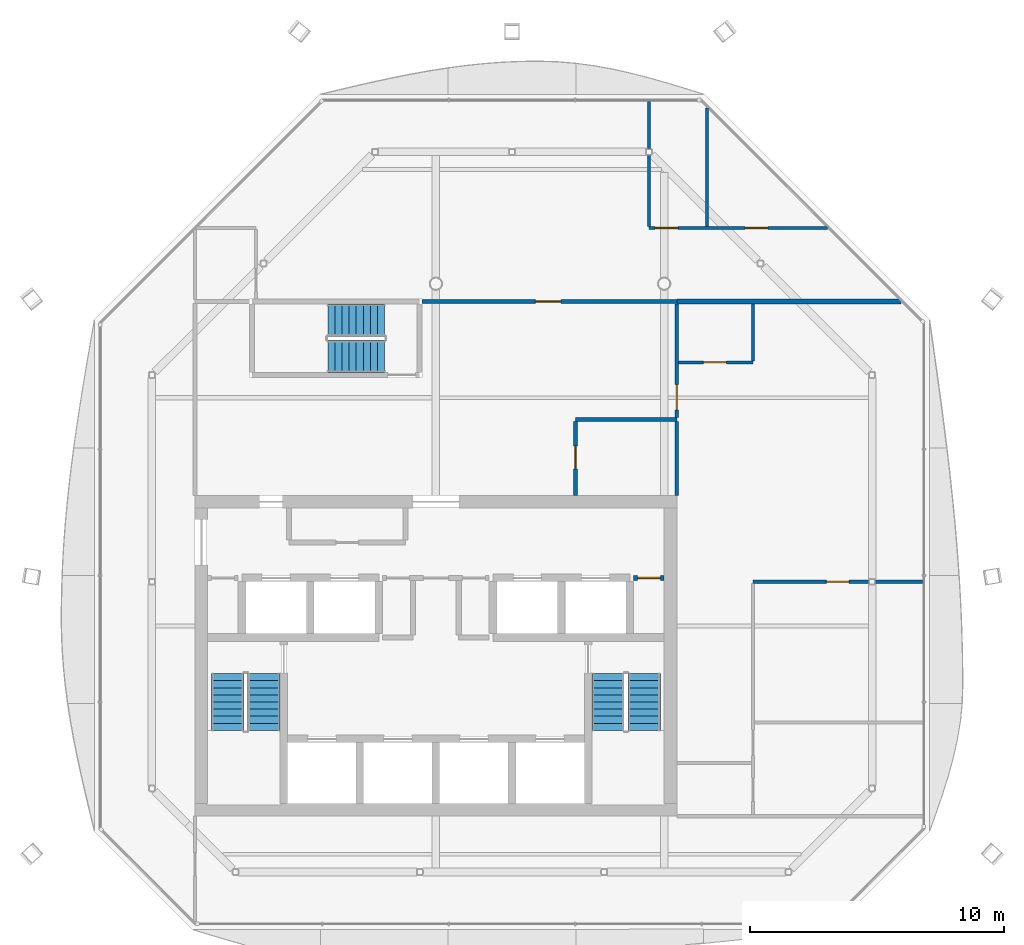
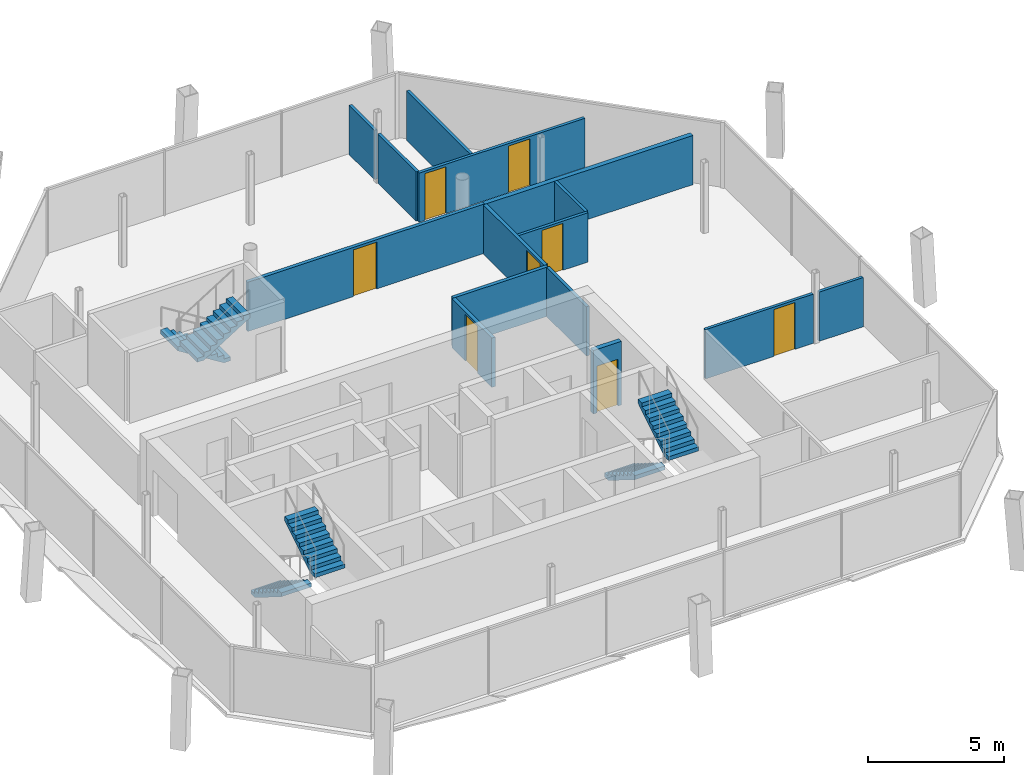
# One storey, part 11 of 14: 15 walls, 8 doors, 6 stair flights, 8 openings, 3 elements without a shape of their own.
"""IFC4 building model written with IfcOpenShell, lengths in metres."""

from ifc_helpers import new_model, si_unit, direction, frame, frame_2d, origin, place, context, subcontext, project, spatial, polyline, rectangle, outline, extrude, material, layer, layer_set, type_object, element, fill, aggregate, save


model = new_model("IFC4")

# Units and contexts
model_context = context("Model", 3, precision=1e-05, world=origin(), true_north=direction((0.0, 1.0)))
body_context = subcontext(model_context, "Body", "Model", "MODEL_VIEW")
ifc_project = project(units=[si_unit("LENGTHUNIT", "METRE"), si_unit("AREAUNIT", "SQUARE_METRE"), si_unit("VOLUMEUNIT", "CUBIC_METRE"), si_unit("PLANEANGLEUNIT", "RADIAN"), si_unit("MASSUNIT", "GRAM", prefix="KILO")], contexts=[model_context])

# Site, building, storey
site_placement = place(None, origin())
site = spatial("IfcSite", under=ifc_project, at=site_placement, CompositionType="ELEMENT")
building_placement = place(site_placement, origin())
building = spatial("IfcBuilding", under=site, at=building_placement, Name="Tskaro Facet Tower", CompositionType="ELEMENT")
storey_placement = place(building_placement, frame((0.0, 0.0, 275.25)))
storey = spatial("IfcBuildingStorey", under=building, at=storey_placement, Name="L73", CompositionType="ELEMENT", Elevation=275.25)

# Wall, opening, door
ifc_material_1 = material(Name="Concrete C20/25", Category="concrete")
ifc_layer_1 = layer(ifc_material_1, 0.199951171875, Name="Concrete C20/25")
ifc_layer_set_1 = layer_set([ifc_layer_1], Name="Concrete C20/25")
wall_type_1 = type_object("IfcWallType", Name="CORE-WALL", PredefinedType="SOLIDWALL", material=ifc_layer_set_1)
wall_1_placement = place(storey_placement, frame((9.0, -2.60009765625, 0.0), z_axis=(0.0, 0.0, 1.0), x_axis=(-1.0, 0.0, 0.0)))
wall_1 = element("IfcWall", 1, at=wall_1_placement, inside=storey, type_object=wall_type_1, Name="Core room wall W015", PredefinedType="SOLIDWALL", context=body_context, shape_type="SweptSolid", body=[
    extrude(rectangle(XDim=1.199951171875, YDim=0.199951171875, at=frame_2d((0.60009765625, 0.0))), origin(), (0.0, 0.0, 1.0), 2.85009765625),
])
opening_1_placement = place(wall_1_placement, frame((0.14990234375, 0.0, 0.0)))
opening_1 = element("IfcOpeningElement", 2, at=opening_1_placement, cuts=wall_1, Name="Opening T21-D08", PredefinedType="OPENING", context=body_context, shape_type="SweptSolid", body=[
    extrude(rectangle(XDim=0.89990234375, YDim=2.10009765625, at=frame_2d((0.449951171875, 1.050048828125))), frame((0.0, 0.10986328125, 0.0), z_axis=(0.0, -1.0, 0.0), x_axis=(1.0, 0.0, 0.0)), (0.0, 0.0, 1.0), 0.219970703125),
])
ifc_material_2 = material(Name="Timber", Category="wood")
door_type_1 = type_object("IfcDoorType", Name="D-ROOM", OperationType="NOTDEFINED", PredefinedType="DOOR", material=ifc_material_2)
door_1_placement = place(opening_1_placement, origin())
door_1 = element("IfcDoor", 3, at=door_1_placement, inside=storey, type_object=door_type_1, Name="Door T21-D08", OperationType="SINGLE_SWING_RIGHT", OverallHeight=2.10009765625, OverallWidth=0.89990234375, PredefinedType="DOOR", context=body_context, shape_type="SweptSolid", body=[
    extrude(rectangle(XDim=0.89990234375, YDim=2.10009765625, at=frame_2d((0.449951171875, 1.050048828125))), frame((0.0, 0.02490234375, 0.0), z_axis=(0.0, -1.0, 0.0), x_axis=(1.0, 0.0, 0.0)), (0.0, 0.0, 1.0), 0.050048828125),
])
fill(opening_1, door_1)

ifc_material_3 = material(Name="Gypsum board on steel studs", Category="steel")
ifc_layer_2 = layer(ifc_material_3, 0.125, Name="Gypsum board on steel studs")
ifc_layer_set_2 = layer_set([ifc_layer_2], Name="Gypsum board on steel studs")
wall_type_2 = type_object("IfcWallType", Name="PART", PredefinedType="PARTITIONING", material=ifc_layer_set_2)
wall_2_placement = place(storey_placement, frame((17.074951171875, -2.75, 0.0), z_axis=(0.0, 0.0, 1.0), x_axis=(-1.0, 0.0, 0.0)))
wall_2 = element("IfcWall", 4, at=wall_2_placement, inside=storey, type_object=wall_type_2, Name="Partition W009", PredefinedType="PARTITIONING", context=body_context, shape_type="SweptSolid", body=[
    extrude(rectangle(XDim=4.574951171875, YDim=0.125, at=frame_2d((2.28759765625, 0.0))), origin(), (0.0, 0.0, 1.0), 2.2099609375),
])
opening_2_placement = place(wall_2_placement, frame((0.777587890625, 0.0, 0.0)))
opening_2 = element("IfcOpeningElement", 5, at=opening_2_placement, cuts=wall_2, Name="Opening T21-D04", PredefinedType="OPENING", context=body_context, shape_type="SweptSolid", body=[
    extrude(rectangle(XDim=0.89990234375, YDim=2.10009765625, at=frame_2d((0.449951171875, 1.050048828125))), frame((0.0, 0.072509765625, 0.0), z_axis=(0.0, -1.0, 0.0), x_axis=(1.0, 0.0, 0.0)), (0.0, 0.0, 1.0), 0.14501953125),
])
door_2_placement = place(opening_2_placement, origin())
door_2 = element("IfcDoor", 6, at=door_2_placement, inside=storey, type_object=door_type_1, Name="Door T21-D04", OperationType="SINGLE_SWING_RIGHT", OverallHeight=2.10009765625, OverallWidth=0.89990234375, PredefinedType="DOOR", context=body_context, shape_type="SweptSolid", body=[
    extrude(rectangle(XDim=0.89990234375, YDim=2.10009765625, at=frame_2d((0.449951171875, 1.050048828125))), frame((0.0, 0.02490234375, 0.0), z_axis=(0.0, -1.0, 0.0), x_axis=(1.0, 0.0, 0.0)), (0.0, 0.0, 1.0), 0.050048828125),
])
fill(opening_2, door_2)

# Wall
wall_3_placement = place(storey_placement, frame((17.324951171875, -2.75, 0.0), z_axis=(0.0, 0.0, 1.0), x_axis=(1.0, 0.0, 0.0)))
element("IfcWall", 7, at=wall_3_placement, inside=storey, type_object=wall_type_2, Name="Partition W010", PredefinedType="PARTITIONING", context=body_context, shape_type="SweptSolid", body=[
    extrude(rectangle(XDim=1.8701171875, YDim=0.125, at=frame_2d((0.93505859375, 0.0))), origin(), (0.0, 0.0, 1.0), 2.2099609375),
])

# Wall, opening, door
wall_4_placement = place(storey_placement, frame((9.574951171875, 5.89990234375, 0.0), z_axis=(0.0, 0.0, 1.0), x_axis=(1.0, 0.0, 0.0)))
wall_4 = element("IfcWall", 8, at=wall_4_placement, inside=storey, type_object=wall_type_2, Name="Partition W019", PredefinedType="PARTITIONING", context=body_context, shape_type="SweptSolid", body=[
    extrude(rectangle(XDim=2.925048828125, YDim=0.125, at=frame_2d((1.46240234375, 0.0))), origin(), (0.0, 0.0, 1.0), 2.2099609375),
])
opening_3_placement = place(wall_4_placement, frame((0.97509765625, 0.0, 0.0)))
opening_3 = element("IfcOpeningElement", 9, at=opening_3_placement, cuts=wall_4, Name="Opening T21-D15", PredefinedType="OPENING", context=body_context, shape_type="SweptSolid", body=[
    extrude(rectangle(XDim=0.89990234375, YDim=2.10009765625, at=frame_2d((0.449951171875, 1.050048828125))), frame((0.0, 0.072509765625, 0.0), z_axis=(0.0, -1.0, 0.0), x_axis=(1.0, 0.0, 0.0)), (0.0, 0.0, 1.0), 0.14501953125),
])
door_3_placement = place(opening_3_placement, origin())
door_3 = element("IfcDoor", 10, at=door_3_placement, inside=storey, type_object=door_type_1, Name="Door T21-D15", OperationType="SINGLE_SWING_LEFT", OverallHeight=2.10009765625, OverallWidth=0.89990234375, PredefinedType="DOOR", context=body_context, shape_type="SweptSolid", body=[
    extrude(rectangle(XDim=0.89990234375, YDim=2.10009765625, at=frame_2d((0.449951171875, 1.050048828125))), frame((0.0, 0.02490234375, 0.0), z_axis=(0.0, -1.0, 0.0), x_axis=(1.0, 0.0, 0.0)), (0.0, 0.0, 1.0), 0.050048828125),
])
fill(opening_3, door_3)

# Wall, openings, doors
wall_5_placement = place(storey_placement, frame((8.405029296875, 11.199951171875, 0.0), z_axis=(0.0, 0.0, 1.0), x_axis=(1.0, 0.0, 0.0)))
wall_5 = element("IfcWall", 11, at=wall_5_placement, inside=storey, type_object=wall_type_2, Name="Partition W025", PredefinedType="PARTITIONING", context=body_context, shape_type="SweptSolid", body=[
    extrude(rectangle(XDim=7.028076171875, YDim=0.125, at=frame_2d((3.51416015625, 0.0))), origin(), (0.0, 0.0, 1.0), 2.2099609375),
])
opening_4_placement = place(wall_5_placement, frame((3.7900390625, 0.0, 0.0)))
opening_4 = element("IfcOpeningElement", 12, at=opening_4_placement, cuts=wall_5, Name="Opening T21-D19", PredefinedType="OPENING", context=body_context, shape_type="SweptSolid", body=[
    extrude(rectangle(XDim=0.89990234375, YDim=2.10009765625, at=frame_2d((0.449951171875, 1.050048828125))), frame((0.0, 0.072509765625, 0.0), z_axis=(0.0, -1.0, 0.0), x_axis=(1.0, 0.0, 0.0)), (0.0, 0.0, 1.0), 0.14501953125),
])
opening_5_placement = place(wall_5_placement, frame((0.237548828125, 0.0, 0.0)))
opening_5 = element("IfcOpeningElement", 13, at=opening_5_placement, cuts=wall_5, Name="Opening T21-D18", PredefinedType="OPENING", context=body_context, shape_type="SweptSolid", body=[
    extrude(rectangle(XDim=0.89990234375, YDim=2.10009765625, at=frame_2d((0.449951171875, 1.050048828125))), frame((0.0, 0.072509765625, 0.0), z_axis=(0.0, -1.0, 0.0), x_axis=(1.0, 0.0, 0.0)), (0.0, 0.0, 1.0), 0.14501953125),
])
door_4_placement = place(opening_4_placement, origin())
door_4 = element("IfcDoor", 14, at=door_4_placement, inside=storey, type_object=door_type_1, Name="Door T21-D19", OperationType="SINGLE_SWING_LEFT", OverallHeight=2.10009765625, OverallWidth=0.89990234375, PredefinedType="DOOR", context=body_context, shape_type="SweptSolid", body=[
    extrude(rectangle(XDim=0.89990234375, YDim=2.10009765625, at=frame_2d((0.449951171875, 1.050048828125))), frame((0.0, 0.02490234375, 0.0), z_axis=(0.0, -1.0, 0.0), x_axis=(1.0, 0.0, 0.0)), (0.0, 0.0, 1.0), 0.050048828125),
])
fill(opening_4, door_4)
door_5_placement = place(opening_5_placement, origin())
door_5 = element("IfcDoor", 15, at=door_5_placement, inside=storey, type_object=door_type_1, Name="Door T21-D18", OperationType="SINGLE_SWING_LEFT", OverallHeight=2.10009765625, OverallWidth=0.89990234375, PredefinedType="DOOR", context=body_context, shape_type="SweptSolid", body=[
    extrude(rectangle(XDim=0.89990234375, YDim=2.10009765625, at=frame_2d((0.449951171875, 1.050048828125))), frame((0.0, 0.02490234375, 0.0), z_axis=(0.0, -1.0, 0.0), x_axis=(1.0, 0.0, 0.0)), (0.0, 0.0, 1.0), 0.050048828125),
])
fill(opening_5, door_5)

# Walls
wall_6_placement = place(storey_placement, frame((8.405029296875, 11.262451171875, 0.0), z_axis=(0.0, 0.0, 1.0), x_axis=(0.0, 1.0, 0.0)))
element("IfcWall", 16, at=wall_6_placement, inside=storey, type_object=wall_type_2, Name="Partition W048", PredefinedType="PARTITIONING", context=body_context, shape_type="SweptSolid", body=[
    extrude(rectangle(XDim=2.8125, YDim=0.125, at=frame_2d((1.40625, 0.0))), origin(), (0.0, 0.0, 1.0), 2.2099609375),
])
wall_7_placement = place(storey_placement, frame((8.405029296875, 14.324951171875, 0.0), z_axis=(0.0, 0.0, 1.0), x_axis=(0.0, 1.0, 0.0)))
element("IfcWall", 17, at=wall_7_placement, inside=storey, type_object=wall_type_2, Name="Partition W049", PredefinedType="PARTITIONING", context=body_context, shape_type="SweptSolid", body=[
    extrude(rectangle(XDim=1.8701171875, YDim=0.125, at=frame_2d((0.93505859375, 0.0))), origin(), (0.0, 0.0, 1.0), 2.2099609375),
])
wall_8_placement = place(storey_placement, frame((9.5, 0.64990234375, 0.0), z_axis=(0.0, 0.0, 1.0), x_axis=(0.0, 1.0, 0.0)))
element("IfcWall", 18, at=wall_8_placement, inside=storey, type_object=wall_type_2, Name="Partition W050", PredefinedType="PARTITIONING", context=body_context, shape_type="SweptSolid", body=[
    extrude(rectangle(XDim=2.925048828125, YDim=0.125, at=frame_2d((1.46240234375, 0.0))), origin(), (0.0, 0.0, 1.0), 2.2099609375),
])
wall_9_placement = place(storey_placement, frame((10.695068359375, 11.262451171875, 0.0), z_axis=(0.0, 0.0, 1.0), x_axis=(0.0, 1.0, 0.0)))
element("IfcWall", 19, at=wall_9_placement, inside=storey, type_object=wall_type_2, Name="Partition W052", PredefinedType="PARTITIONING", context=body_context, shape_type="SweptSolid", body=[
    extrude(rectangle(XDim=4.675537109375, YDim=0.125, at=frame_2d((2.337890625, 0.0))), origin(), (0.0, 0.0, 1.0), 2.2099609375),
])
wall_10_placement = place(storey_placement, frame((12.5, 5.96240234375, 0.0), z_axis=(0.0, 0.0, 1.0), x_axis=(0.0, 1.0, 0.0)))
element("IfcWall", 20, at=wall_10_placement, inside=storey, type_object=wall_type_2, Name="Partition W054", PredefinedType="PARTITIONING", context=body_context, shape_type="SweptSolid", body=[
    extrude(rectangle(XDim=2.237548828125, YDim=0.125, at=frame_2d((1.11865234375, 0.0))), origin(), (0.0, 0.0, 1.0), 2.2099609375),
])
ifc_layer_3 = layer(ifc_material_3, 0.14990234375, Name="Gypsum board on steel studs")
ifc_layer_set_3 = layer_set([ifc_layer_3], Name="Gypsum board on steel studs")
wall_type_3 = type_object("IfcWallType", Name="PART-CORR", PredefinedType="PARTITIONING", material=ifc_layer_set_3)
wall_11_placement = place(storey_placement, frame((5.5, 3.64990234375, 0.0), z_axis=(0.0, 0.0, 1.0), x_axis=(1.0, 0.0, 0.0)))
element("IfcWall", 21, at=wall_11_placement, inside=storey, type_object=wall_type_3, Name="Corridor wall W017", PredefinedType="PARTITIONING", context=body_context, shape_type="SweptSolid", body=[
    extrude(rectangle(XDim=4.0, YDim=0.14990234375, at=frame_2d((2.0, 0.0))), origin(), (0.0, 0.0, 1.0), 2.2099609375),
])

# Wall, opening, door
wall_12_placement = place(storey_placement, frame((-0.550048828125, 8.300048828125, 0.0), z_axis=(0.0, 0.0, 1.0), x_axis=(1.0, 0.0, 0.0)))
wall_12 = element("IfcWall", 22, at=wall_12_placement, inside=storey, type_object=wall_type_3, Name="Corridor wall W022", PredefinedType="PARTITIONING", context=body_context, shape_type="SweptSolid", body=[
    extrude(rectangle(XDim=10.050048828125, YDim=0.14990234375, at=frame_2d((5.02490234375, 0.0))), origin(), (0.0, 0.0, 1.0), 2.2099609375),
])
opening_6_placement = place(wall_12_placement, frame((4.47509765625, 0.0, 0.0)))
opening_6 = element("IfcOpeningElement", 23, at=opening_6_placement, cuts=wall_12, Name="Opening T21-D16", PredefinedType="OPENING", context=body_context, shape_type="SweptSolid", body=[
    extrude(rectangle(XDim=1.0, YDim=2.10009765625, at=frame_2d((0.5, 1.050048828125))), frame((0.0, 0.0849609375, 0.0), z_axis=(0.0, -1.0, 0.0), x_axis=(1.0, 0.0, 0.0)), (0.0, 0.0, 1.0), 0.169921875),
])
door_type_2 = type_object("IfcDoorType", Name="D-FLAT-ENTRY", OperationType="NOTDEFINED", PredefinedType="DOOR", material=ifc_material_2)
door_6_placement = place(opening_6_placement, origin())
door_6 = element("IfcDoor", 24, at=door_6_placement, inside=storey, type_object=door_type_2, Name="Door T21-D16", OperationType="SINGLE_SWING_LEFT", OverallHeight=2.10009765625, OverallWidth=1.0, PredefinedType="DOOR", context=body_context, shape_type="SweptSolid", body=[
    extrude(rectangle(XDim=1.0, YDim=2.10009765625, at=frame_2d((0.5, 1.050048828125))), frame((0.0, 0.02490234375, 0.0), z_axis=(0.0, -1.0, 0.0), x_axis=(1.0, 0.0, 0.0)), (0.0, 0.0, 1.0), 0.050048828125),
])
fill(opening_6, door_6)

wall_13_placement = place(storey_placement, frame((5.5, 3.574951171875, 0.0), z_axis=(0.0, 0.0, 1.0), x_axis=(0.0, -1.0, 0.0)))
wall_13 = element("IfcWall", 25, at=wall_13_placement, inside=storey, type_object=wall_type_3, Name="Corridor wall W045", PredefinedType="PARTITIONING", context=body_context, shape_type="SweptSolid", body=[
    extrude(rectangle(XDim=2.925048828125, YDim=0.14990234375, at=frame_2d((1.46240234375, 0.0))), origin(), (0.0, 0.0, 1.0), 2.2099609375),
])
opening_7_placement = place(wall_13_placement, frame((0.97509765625, 0.0, 0.0)))
opening_7 = element("IfcOpeningElement", 26, at=opening_7_placement, cuts=wall_13, Name="Opening T21-D13", PredefinedType="OPENING", context=body_context, shape_type="SweptSolid", body=[
    extrude(rectangle(XDim=0.89990234375, YDim=2.10009765625, at=frame_2d((0.449951171875, 1.050048828125))), frame((0.0, 0.0849609375, 0.0), z_axis=(0.0, -1.0, 0.0), x_axis=(1.0, 0.0, 0.0)), (0.0, 0.0, 1.0), 0.169921875),
])
door_7_placement = place(opening_7_placement, origin())
door_7 = element("IfcDoor", 27, at=door_7_placement, inside=storey, type_object=door_type_1, Name="Door T21-D13", OperationType="SINGLE_SWING_RIGHT", OverallHeight=2.10009765625, OverallWidth=0.89990234375, PredefinedType="DOOR", context=body_context, shape_type="SweptSolid", body=[
    extrude(rectangle(XDim=0.89990234375, YDim=2.10009765625, at=frame_2d((0.449951171875, 1.050048828125))), frame((0.0, 0.02490234375, 0.0), z_axis=(0.0, -1.0, 0.0), x_axis=(1.0, 0.0, 0.0)), (0.0, 0.0, 1.0), 0.050048828125),
])
fill(opening_7, door_7)

wall_14_placement = place(storey_placement, frame((9.5, 8.199951171875, 0.0), z_axis=(0.0, 0.0, 1.0), x_axis=(0.0, -1.0, 0.0)))
wall_14 = element("IfcWall", 28, at=wall_14_placement, inside=storey, type_object=wall_type_3, Name="Corridor wall W051", PredefinedType="PARTITIONING", context=body_context, shape_type="SweptSolid", body=[
    extrude(rectangle(XDim=4.474853515625, YDim=0.14990234375, at=frame_2d((2.2373046875, 0.0))), origin(), (0.0, 0.0, 1.0), 2.2099609375),
])
opening_8_placement = place(wall_14_placement, frame((3.175048828125, 0.0, 0.0)))
opening_8 = element("IfcOpeningElement", 29, at=opening_8_placement, cuts=wall_14, Name="Opening T21-D14", PredefinedType="OPENING", context=body_context, shape_type="SweptSolid", body=[
    extrude(rectangle(XDim=1.0, YDim=2.10009765625, at=frame_2d((0.5, 1.050048828125))), frame((0.0, 0.0849609375, 0.0), z_axis=(0.0, -1.0, 0.0), x_axis=(1.0, 0.0, 0.0)), (0.0, 0.0, 1.0), 0.169921875),
])
door_8_placement = place(opening_8_placement, origin())
door_8 = element("IfcDoor", 30, at=door_8_placement, inside=storey, type_object=door_type_2, Name="Door T21-D14", OperationType="SINGLE_SWING_LEFT", OverallHeight=2.10009765625, OverallWidth=1.0, PredefinedType="DOOR", context=body_context, shape_type="SweptSolid", body=[
    extrude(rectangle(XDim=1.0, YDim=2.10009765625, at=frame_2d((0.5, 1.050048828125))), frame((0.0, 0.02490234375, 0.0), z_axis=(0.0, -1.0, 0.0), x_axis=(1.0, 0.0, 0.0)), (0.0, 0.0, 1.0), 0.050048828125),
])
fill(opening_8, door_8)

# Wall
ifc_layer_4 = layer(ifc_material_3, 0.199951171875, Name="Gypsum board on steel studs")
ifc_layer_set_4 = layer_set([ifc_layer_4], Name="Gypsum board on steel studs")
wall_type_4 = type_object("IfcWallType", Name="PART-DEMISING", PredefinedType="PARTITIONING", material=ifc_layer_set_4)
wall_15_placement = place(storey_placement, frame((9.5, 8.300048828125, 0.0), z_axis=(0.0, 0.0, 1.0), x_axis=(1.0, 0.0, 0.0)))
element("IfcWall", 31, at=wall_15_placement, inside=storey, type_object=wall_type_4, Name="Guest room wall W023", PredefinedType="PARTITIONING", context=body_context, shape_type="SweptSolid", body=[
    extrude(rectangle(XDim=8.8330078125, YDim=0.199951171875, at=frame_2d((4.41650390625, 0.0))), origin(), (0.0, 0.0, 1.0), 2.2099609375),
])

# Stair, stair flights
ifc_material_4 = material(Name="Concrete C40/50", Category="concrete")
stair_type = type_object("IfcStairType", Name="ST-TWR", PredefinedType="HALF_TURN_STAIR", material=ifc_material_4)
stair_1_placement = place(storey_placement, origin())
stair_1 = element("IfcStair", 32, at=stair_1_placement, inside=storey, type_object=stair_type, Name="L73 Exit stair 1", PredefinedType="HALF_TURN_STAIR")
stair_flight_type = type_object("IfcStairFlightType", Name="SFL-RC", PredefinedType="STRAIGHT", material=ifc_material_4)
stair_flight_1_placement = place(storey_placement, frame((-8.21240234375, -6.375, 0.0), z_axis=(0.0, 0.0, 1.0), x_axis=(0.0, -1.0, 0.0)))
stair_flight_1 = element("IfcStairFlight", 33, at=stair_flight_1_placement, type_object=stair_flight_type, Name="ST-1 flight 1", NumberOfRisers=9, NumberOfTreads=8, PredefinedType="STRAIGHT", RiserHeight=0.175, TreadLength=0.28, context=body_context, shape_type="SweptSolid", body=[
    extrude(outline(polyline([(0.0, 0.0), (0.0, 0.175048828125), (0.280029296875, 0.175048828125), (0.280029296875, 0.35009765625), (0.56005859375, 0.35009765625), (0.56005859375, 0.52490234375), (0.840087890625, 0.52490234375), (0.840087890625, 0.699951171875), (1.1201171875, 0.699951171875), (1.1201171875, 0.875), (1.39990234375, 0.875), (1.39990234375, 1.050048828125), (1.679931640625, 1.050048828125), (1.679931640625, 1.22509765625), (1.9599609375, 1.22509765625), (1.9599609375, 1.39990234375), (2.239990234375, 1.39990234375), (2.239990234375, 1.574951171875), (2.239990234375, 1.22314453125), (0.28271484375, 0.0), (0.0, 0.0)])), frame((0.0, 0.637451171875, 0.0), z_axis=(0.0, -1.0, 0.0), x_axis=(1.0, 0.0, 0.0)), (0.0, 0.0, 1.0), 1.27490234375),
])
stair_flight_2_placement = place(storey_placement, frame((-6.78759765625, -8.614990234375, 1.574951171875), z_axis=(0.0, 0.0, 1.0), x_axis=(0.0, 1.0, 0.0)))
stair_flight_2 = element("IfcStairFlight", 34, at=stair_flight_2_placement, type_object=stair_flight_type, Name="ST-1 flight 2", NumberOfRisers=9, NumberOfTreads=8, PredefinedType="STRAIGHT", RiserHeight=0.175, TreadLength=0.28, context=body_context, shape_type="SweptSolid", body=[
    extrude(outline(polyline([(0.0, 0.0), (0.0, 0.175048828125), (0.280029296875, 0.175048828125), (0.280029296875, 0.35009765625), (0.56005859375, 0.35009765625), (0.56005859375, 0.52490234375), (0.840087890625, 0.52490234375), (0.840087890625, 0.699951171875), (1.1201171875, 0.699951171875), (1.1201171875, 0.875), (1.39990234375, 0.875), (1.39990234375, 1.050048828125), (1.679931640625, 1.050048828125), (1.679931640625, 1.22509765625), (1.9599609375, 1.22509765625), (1.9599609375, 1.39990234375), (2.239990234375, 1.39990234375), (2.239990234375, 1.574951171875), (2.239990234375, 1.22314453125), (0.28271484375, 0.0), (0.0, 0.0)])), frame((0.0, 0.637451171875, 0.0), z_axis=(0.0, -1.0, 0.0), x_axis=(1.0, 0.0, 0.0)), (0.0, 0.0, 1.0), 1.27490234375),
])
aggregate(stair_1, [stair_flight_1, stair_flight_2])

stair_2_placement = place(storey_placement, origin())
stair_2 = element("IfcStair", 35, at=stair_2_placement, inside=storey, type_object=stair_type, Name="L73 Exit stair 2", PredefinedType="HALF_TURN_STAIR")
stair_flight_3_placement = place(storey_placement, frame((6.78759765625, -6.375, 0.0), z_axis=(0.0, 0.0, 1.0), x_axis=(0.0, -1.0, 0.0)))
stair_flight_3 = element("IfcStairFlight", 36, at=stair_flight_3_placement, type_object=stair_flight_type, Name="ST-2 flight 1", NumberOfRisers=9, NumberOfTreads=8, PredefinedType="STRAIGHT", RiserHeight=0.175, TreadLength=0.28, context=body_context, shape_type="SweptSolid", body=[
    extrude(outline(polyline([(0.0, 0.0), (0.0, 0.175048828125), (0.280029296875, 0.175048828125), (0.280029296875, 0.35009765625), (0.56005859375, 0.35009765625), (0.56005859375, 0.52490234375), (0.840087890625, 0.52490234375), (0.840087890625, 0.699951171875), (1.1201171875, 0.699951171875), (1.1201171875, 0.875), (1.39990234375, 0.875), (1.39990234375, 1.050048828125), (1.679931640625, 1.050048828125), (1.679931640625, 1.22509765625), (1.9599609375, 1.22509765625), (1.9599609375, 1.39990234375), (2.239990234375, 1.39990234375), (2.239990234375, 1.574951171875), (2.239990234375, 1.22314453125), (0.28271484375, 0.0), (0.0, 0.0)])), frame((0.0, 0.637451171875, 0.0), z_axis=(0.0, -1.0, 0.0), x_axis=(1.0, 0.0, 0.0)), (0.0, 0.0, 1.0), 1.27490234375),
])
stair_flight_4_placement = place(storey_placement, frame((8.21240234375, -8.614990234375, 1.574951171875), z_axis=(0.0, 0.0, 1.0), x_axis=(0.0, 1.0, 0.0)))
stair_flight_4 = element("IfcStairFlight", 37, at=stair_flight_4_placement, type_object=stair_flight_type, Name="ST-2 flight 2", NumberOfRisers=9, NumberOfTreads=8, PredefinedType="STRAIGHT", RiserHeight=0.175, TreadLength=0.28, context=body_context, shape_type="SweptSolid", body=[
    extrude(outline(polyline([(0.0, 0.0), (0.0, 0.175048828125), (0.280029296875, 0.175048828125), (0.280029296875, 0.35009765625), (0.56005859375, 0.35009765625), (0.56005859375, 0.52490234375), (0.840087890625, 0.52490234375), (0.840087890625, 0.699951171875), (1.1201171875, 0.699951171875), (1.1201171875, 0.875), (1.39990234375, 0.875), (1.39990234375, 1.050048828125), (1.679931640625, 1.050048828125), (1.679931640625, 1.22509765625), (1.9599609375, 1.22509765625), (1.9599609375, 1.39990234375), (2.239990234375, 1.39990234375), (2.239990234375, 1.574951171875), (2.239990234375, 1.22314453125), (0.28271484375, 0.0), (0.0, 0.0)])), frame((0.0, 0.637451171875, 0.0), z_axis=(0.0, -1.0, 0.0), x_axis=(1.0, 0.0, 0.0)), (0.0, 0.0, 1.0), 1.27490234375),
])
aggregate(stair_2, [stair_flight_3, stair_flight_4])

stair_3_placement = place(storey_placement, origin())
stair_3 = element("IfcStair", 38, at=stair_3_placement, inside=storey, type_object=stair_type, Name="L73 Exit stair 3", PredefinedType="HALF_TURN_STAIR")
stair_flight_5_placement = place(storey_placement, frame((-2.02490234375, 7.5625, 0.0), z_axis=(0.0, 0.0, 1.0), x_axis=(-1.0, 0.0, 0.0)))
stair_flight_5 = element("IfcStairFlight", 39, at=stair_flight_5_placement, type_object=stair_flight_type, Name="ST-3 flight 1", NumberOfRisers=9, NumberOfTreads=8, PredefinedType="STRAIGHT", RiserHeight=0.175, TreadLength=0.28, context=body_context, shape_type="SweptSolid", body=[
    extrude(outline(polyline([(0.0, 0.0), (0.0, 0.175048828125), (0.280029296875, 0.175048828125), (0.280029296875, 0.35009765625), (0.56005859375, 0.35009765625), (0.56005859375, 0.52490234375), (0.840087890625, 0.52490234375), (0.840087890625, 0.699951171875), (1.1201171875, 0.699951171875), (1.1201171875, 0.875), (1.39990234375, 0.875), (1.39990234375, 1.050048828125), (1.679931640625, 1.050048828125), (1.679931640625, 1.22509765625), (1.9599609375, 1.22509765625), (1.9599609375, 1.39990234375), (2.239990234375, 1.39990234375), (2.239990234375, 1.574951171875), (2.239990234375, 1.22314453125), (0.28271484375, 0.0), (0.0, 0.0)])), frame((0.0, 0.637451171875, 0.0), z_axis=(0.0, -1.0, 0.0), x_axis=(1.0, 0.0, 0.0)), (0.0, 0.0, 1.0), 1.27490234375),
])
stair_flight_6_placement = place(storey_placement, frame((-4.264892578125, 6.137451171875, 1.574951171875), z_axis=(0.0, 0.0, 1.0), x_axis=(1.0, 0.0, 0.0)))
stair_flight_6 = element("IfcStairFlight", 40, at=stair_flight_6_placement, type_object=stair_flight_type, Name="ST-3 flight 2", NumberOfRisers=9, NumberOfTreads=8, PredefinedType="STRAIGHT", RiserHeight=0.175, TreadLength=0.28, context=body_context, shape_type="SweptSolid", body=[
    extrude(outline(polyline([(0.0, 0.0), (0.0, 0.175048828125), (0.280029296875, 0.175048828125), (0.280029296875, 0.35009765625), (0.56005859375, 0.35009765625), (0.56005859375, 0.52490234375), (0.840087890625, 0.52490234375), (0.840087890625, 0.699951171875), (1.1201171875, 0.699951171875), (1.1201171875, 0.875), (1.39990234375, 0.875), (1.39990234375, 1.050048828125), (1.679931640625, 1.050048828125), (1.679931640625, 1.22509765625), (1.9599609375, 1.22509765625), (1.9599609375, 1.39990234375), (2.239990234375, 1.39990234375), (2.239990234375, 1.574951171875), (2.239990234375, 1.22314453125), (0.28271484375, 0.0), (0.0, 0.0)])), frame((0.0, 0.637451171875, 0.0), z_axis=(0.0, -1.0, 0.0), x_axis=(1.0, 0.0, 0.0)), (0.0, 0.0, 1.0), 1.27490234375),
])
aggregate(stair_3, [stair_flight_5, stair_flight_6])

save(model, "model.ifc")
